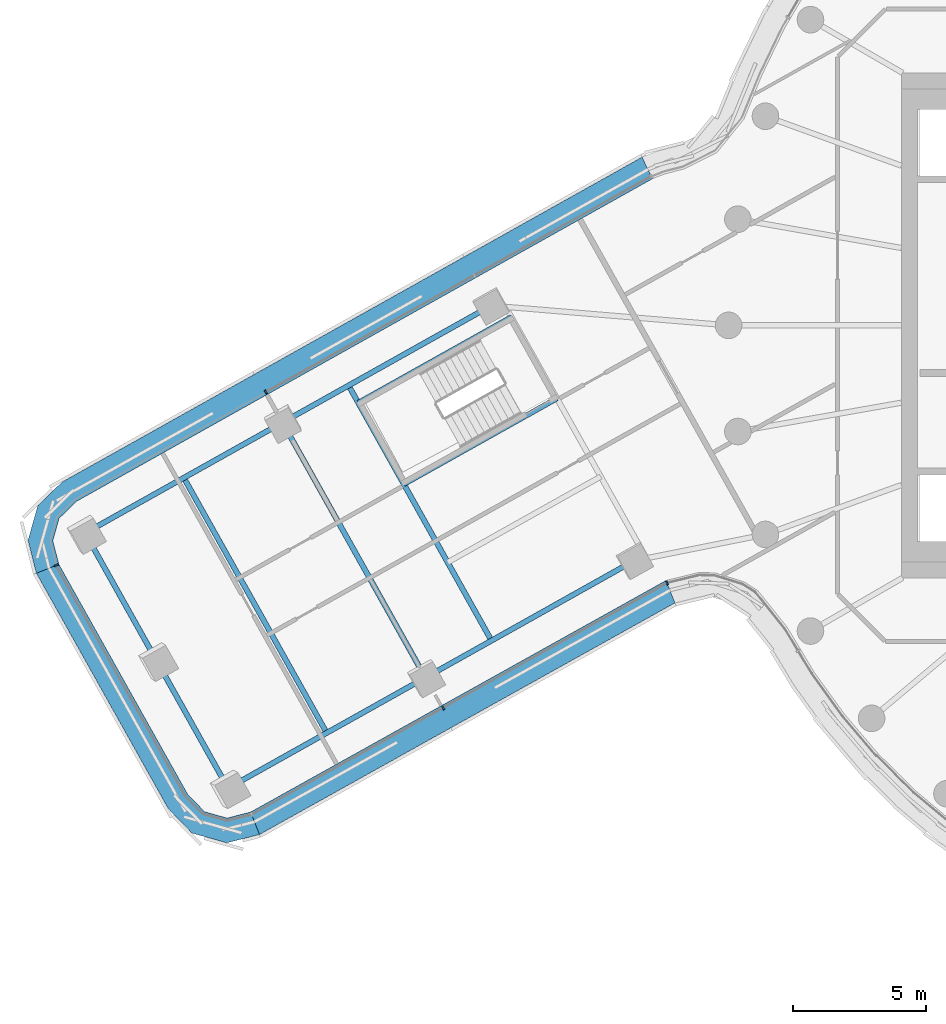
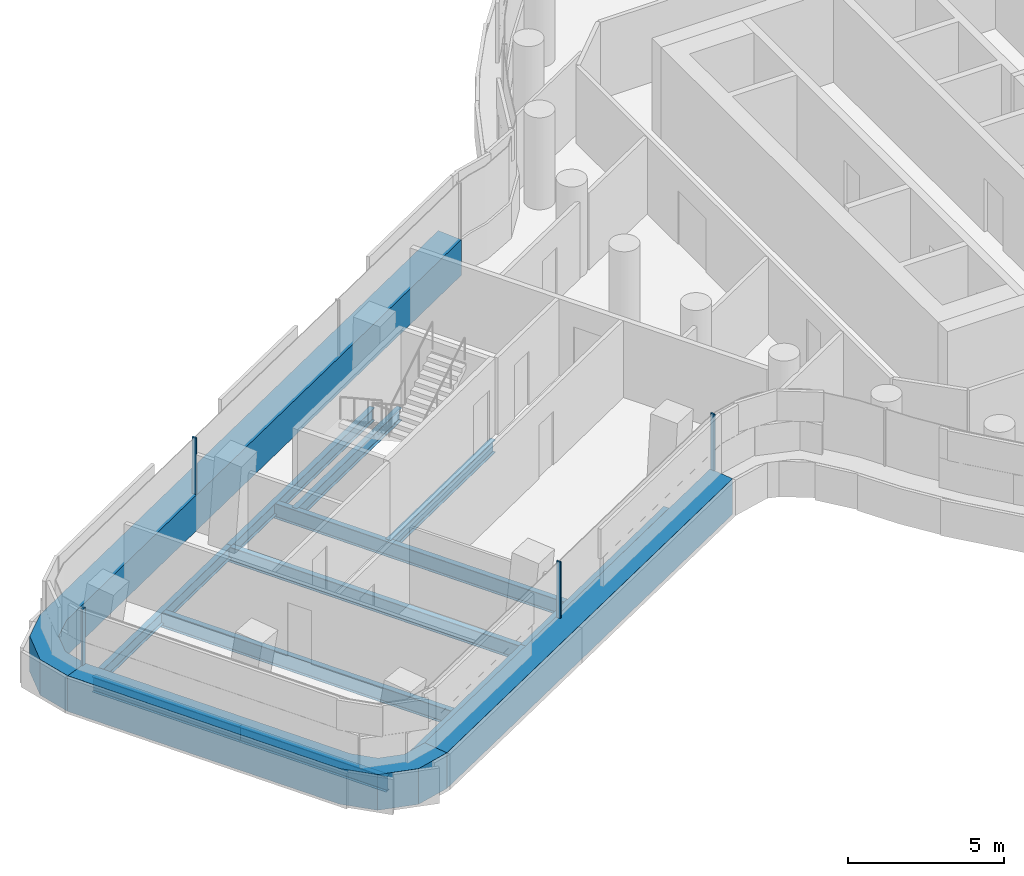
# One storey, part 7 of 34: 11 beams, 7 members, 4 elements without a shape of their own.
"""IFC4 building model written with IfcOpenShell, lengths in metres."""

import ifcopenshell
import ifcopenshell.guid

model = None  # the IFC model being written
_history = None  # IfcOwnerHistory: only IFC2X3 demands one
_inside = {}  # id of a spatial element -> (the spatial element, [elements in it])
_under = {}  # id of a project, library or spatial element -> (it, [spatial elements below it])
_declared = {}  # id of a project -> (the project, [libraries it declares])
_typed = {}  # id of a type object -> (the type object, [elements of that type])
_made_of = {}  # id of a material, layer set ... -> (it, [elements and type objects made of it])


def new_model(schema):
    """Start an empty IFC model of exactly this schema.

    Asked for "IFC4X3", IfcOpenShell would pick the latest addendum, in which some entities
    have other attributes; the version numbers below select the first issue.
    IFC2X3 requires an IfcOwnerHistory on every rooted entity: one is made here for all.
    """
    global model, _history
    if schema == "IFC4X3":
        model = ifcopenshell.file(schema_version=(4, 3, 0, 0))
    else:
        model = ifcopenshell.file(schema=schema)
    _inside.clear()
    _under.clear()
    _declared.clear()
    _typed.clear()
    _made_of.clear()
    _history = None
    if model.schema == "IFC2X3":
        org = make("IfcOrganization", Name="unknown")
        user = make(
            "IfcPersonAndOrganization",
            ThePerson=make("IfcPerson", FamilyName="unknown"),
            TheOrganization=org,
        )
        app = make(
            "IfcApplication",
            ApplicationDeveloper=org,
            Version="unknown",
            ApplicationFullName="unknown",
            ApplicationIdentifier="unknown",
        )
        _history = make(
            "IfcOwnerHistory",
            OwningUser=user,
            OwningApplication=app,
            ChangeAction="ADDED",
            CreationDate=0,
        )
    return model


def make(cls, **values):
    """One entity of the class cls with the attributes given. An attribute that is None is left unset."""
    return model.create_entity(
        cls, **{name: value for name, value in values.items() if value is not None}
    )


def rooted(cls, **values):
    """An entity with a GlobalId (a new one), such as an element, a storey or a relation."""
    return make(cls, GlobalId=ifcopenshell.guid.new(), OwnerHistory=_history, **values)


def si_unit(unit_type, name, prefix=None):
    """IfcSIUnit, for example si_unit("LENGTHUNIT", "METRE", prefix="MILLI")."""
    return make("IfcSIUnit", UnitType=unit_type, Prefix=prefix, Name=name)


def assignment(units):
    """IfcUnitAssignment: the units of a project."""
    return None if units is None else make("IfcUnitAssignment", Units=units)


def point(xyz):
    """IfcCartesianPoint."""
    return None if xyz is None else make("IfcCartesianPoint", Coordinates=xyz)


def direction(xyz):
    """IfcDirection."""
    return None if xyz is None else make("IfcDirection", DirectionRatios=xyz)


def frame(location, z_axis=None, x_axis=None):
    """IfcAxis2Placement3D, a coordinate frame: its origin and axes. An axis left out is left unset."""
    return make(
        "IfcAxis2Placement3D",
        Location=point(location),
        Axis=direction(z_axis),
        RefDirection=direction(x_axis),
    )


def frame_2d(location, x_axis=None):
    """IfcAxis2Placement2D, a coordinate frame in the plane: its origin and x axis."""
    return make(
        "IfcAxis2Placement2D", Location=point(location), RefDirection=direction(x_axis)
    )


def origin():
    """The frame at (0, 0, 0) with its axes left unset."""
    return frame((0.0, 0.0, 0.0))


def origin_2d():
    """The frame at (0, 0) in the plane with its x axis left unset."""
    return frame_2d((0.0, 0.0))


def place(relative_to, where):
    """IfcLocalPlacement: puts the frame where relative to a parent placement (None: the world)."""
    return make(
        "IfcLocalPlacement", PlacementRelTo=relative_to, RelativePlacement=where
    )


def context(
    kind, dimensions, precision=None, world=None, true_north=None, identifier=None
):
    """IfcGeometricRepresentationContext, for example the 3D "Model" context."""
    return make(
        "IfcGeometricRepresentationContext",
        ContextIdentifier=identifier,
        ContextType=kind,
        CoordinateSpaceDimension=dimensions,
        Precision=precision,
        WorldCoordinateSystem=world,
        TrueNorth=true_north,
    )


def subcontext(parent, identifier, kind, view, scale=None):
    """IfcGeometricRepresentationSubContext, for example "Body" below "Model"."""
    return make(
        "IfcGeometricRepresentationSubContext",
        ContextIdentifier=identifier,
        ContextType=kind,
        ParentContext=parent,
        TargetScale=scale,
        TargetView=view,
    )


def project(units=None, contexts=None):
    """IfcProject with its units and contexts."""
    return rooted(
        "IfcProject",
        Name="project",
        RepresentationContexts=contexts,
        UnitsInContext=assignment(units),
    )


def spatial(cls, under=None, at=None, **own):
    """A site, building, storey or space (cls), placed at a placement, below another one or the project."""
    s = rooted(cls, ObjectPlacement=at, **own)
    if under is not None:
        _under.setdefault(under.id(), (under, []))[1].append(s)
    return s


def polyline(points):
    """IfcPolyline through the points."""
    return make("IfcPolyline", Points=[point(p) for p in points])


def profile(cls, at=None, kind="AREA", **sizes):
    """A parametric profile (cls). Its sizes go by their IFC names, for example OverallWidth=200.0."""
    return make(cls, ProfileType=kind, Position=at, **sizes)


def rectangle(**sizes):
    """IfcRectangleProfileDef."""
    return profile("IfcRectangleProfileDef", **sizes)


def i_section(**sizes):
    """IfcIShapeProfileDef."""
    return profile("IfcIShapeProfileDef", **sizes)


def outline(outer, holes=None, kind="AREA"):
    """IfcArbitraryClosedProfileDef: a profile drawn as a closed curve; with holes, ...WithVoids."""
    if holes is None:
        return make("IfcArbitraryClosedProfileDef", ProfileType=kind, OuterCurve=outer)
    return make(
        "IfcArbitraryProfileDefWithVoids",
        ProfileType=kind,
        OuterCurve=outer,
        InnerCurves=holes,
    )


def extrude(swept, where, along, depth):
    """IfcExtrudedAreaSolid: the profile swept, set in the frame where, extruded along a direction by depth."""
    return make(
        "IfcExtrudedAreaSolid",
        SweptArea=swept,
        Position=where,
        ExtrudedDirection=direction(along),
        Depth=depth,
    )


def shape(context_of_items, identifier, shape_type, items):
    """IfcShapeRepresentation: the items that make up one representation, for example the "Body"."""
    return make(
        "IfcShapeRepresentation",
        ContextOfItems=context_of_items,
        RepresentationIdentifier=identifier,
        RepresentationType=shape_type,
        Items=items,
    )


def material(Name=None, Category=None):
    """IfcMaterial."""
    return make("IfcMaterial", Name=Name, Category=Category)


def layer(
    of_material, thickness, ventilated=None, Name=None, Category=None, Priority=None
):
    """IfcMaterialLayer: one layer of a wall or slab, of a material (None: an air gap)."""
    return make(
        "IfcMaterialLayer",
        Material=of_material,
        LayerThickness=thickness,
        IsVentilated=ventilated,
        Name=Name,
        Category=Category,
        Priority=Priority,
    )


def layer_set(layers, Name=None):
    """IfcMaterialLayerSet."""
    return make("IfcMaterialLayerSet", MaterialLayers=layers, LayerSetName=Name)


def material_profile(
    of_material, cross_section, Name=None, Category=None, Priority=None
):
    """IfcMaterialProfile: a cross section and its material."""
    return make(
        "IfcMaterialProfile",
        Name=Name,
        Material=of_material,
        Profile=cross_section,
        Priority=Priority,
        Category=Category,
    )


def profile_set(profiles, Name=None, composite=None):
    """IfcMaterialProfileSet."""
    return make(
        "IfcMaterialProfileSet",
        Name=Name,
        MaterialProfiles=profiles,
        CompositeProfile=composite,
    )


def made_of(thing, what):
    """Note that an element or type object is made of a material, layer set ...; save() writes the relation."""
    if what is not None:
        _made_of.setdefault(what.id(), (what, []))[1].append(thing)
    return thing


def type_object(cls, material=None, **own):
    """A type object (cls), such as IfcWallType, which elements share."""
    return made_of(rooted(cls, **own), material)


def element(
    cls,
    number,
    at=None,
    inside=None,
    cuts=None,
    type_object=None,
    material=None,
    context=None,
    identifier="Body",
    shape_type=None,
    held_by="IfcProductDefinitionShape",
    body=None,
    shapes=None,
    **own,
):
    """One element of the class cls, such as IfcWall. Its Tag is "e" and its number.

    at: its placement. inside: the storey or other place that contains it. cuts: it is an
    opening in that element (IfcRelVoidsElement). A single representation is given by context,
    identifier, shape_type and body (its items); several are given by shapes. held_by: the class
    of the entity that holds the representations. save() writes the other relations.
    """
    e = rooted(cls, Tag="e%d" % number, ObjectPlacement=at, **own)
    if body is not None:
        shapes = [shape(context, identifier, shape_type, body)]
    if shapes is not None:
        e.Representation = make(held_by, Representations=shapes)
    if inside is not None:
        _inside.setdefault(inside.id(), (inside, []))[1].append(e)
    if cuts is not None:
        rooted(
            "IfcRelVoidsElement", RelatingBuildingElement=cuts, RelatedOpeningElement=e
        )
    if type_object is not None:
        _typed.setdefault(type_object.id(), (type_object, []))[1].append(e)
    return made_of(e, material)


def aggregate(whole, parts):
    """IfcRelAggregates: a whole, such as a stair, and the parts it consists of."""
    return rooted("IfcRelAggregates", RelatingObject=whole, RelatedObjects=parts)


def save(model, path):
    """Write the relations noted so far, then the file.

    IfcRelAggregates (storeys below a building ...), IfcRelContainedInSpatialStructure (elements
    in a storey), IfcRelDefinesByType, IfcRelAssociatesMaterial and IfcRelDeclares: one each for
    every whole, place, type object, material and project.
    """
    for whole, parts in _under.values():
        aggregate(whole, parts)
    for where, things in _inside.values():
        rooted(
            "IfcRelContainedInSpatialStructure",
            RelatedElements=things,
            RelatingStructure=where,
        )
    for kind, things in _typed.values():
        rooted("IfcRelDefinesByType", RelatedObjects=things, RelatingType=kind)
    for what, things in _made_of.values():
        rooted("IfcRelAssociatesMaterial", RelatedObjects=things, RelatingMaterial=what)
    for by, libraries in _declared.values():
        rooted("IfcRelDeclares", RelatingContext=by, RelatedDefinitions=libraries)
    model.write(path)


model = new_model("IFC4")

# Units and contexts
model_context = context("Model", 3, precision=1e-05, world=origin(), true_north=direction((0.0, 1.0)))
body_context = subcontext(model_context, "Body", "Model", "MODEL_VIEW")
ifc_project = project(units=[si_unit("LENGTHUNIT", "METRE"), si_unit("AREAUNIT", "SQUARE_METRE"), si_unit("VOLUMEUNIT", "CUBIC_METRE"), si_unit("PLANEANGLEUNIT", "RADIAN"), si_unit("MASSUNIT", "GRAM", prefix="KILO")], contexts=[model_context])

# Site, building, storey
site_placement = place(None, origin())
site = spatial("IfcSite", under=ifc_project, at=site_placement, CompositionType="ELEMENT")
building_placement = place(site_placement, origin())
building = spatial("IfcBuilding", under=site, at=building_placement, Name="Tamarind Cross Interchange Tower", CompositionType="ELEMENT")
storey_placement = place(building_placement, frame((0.0, 0.0, 140.5)))
storey = spatial("IfcBuildingStorey", under=building, at=storey_placement, Name="L34", CompositionType="ELEMENT", Elevation=140.5)

# Beams
ifc_material_1 = material(Name="Steel Q355B", Category="steel")
ifc_material_profile_1 = material_profile(ifc_material_1, i_section(OverallWidth=0.198974609375, OverallDepth=0.49609375, WebThickness=0.009033203125, FlangeThickness=0.013916015625, FilletRadius=0.012939453125, at=origin_2d()), Name="HN 496x199x9x14")
ifc_profile_set_1 = profile_set([ifc_material_profile_1], Name="Steel Q355B")
beam_type_1 = type_object("IfcBeamType", Name="Composite beam HN 496x199x9x14 Q355B", PredefinedType="BEAM", material=ifc_profile_set_1)
beam_1_placement = place(storey_placement, frame((-47.20703125, -7.815185546875, -0.387939453125), z_axis=(0.872456609096, 0.488691584994, 0.0), x_axis=(-0.488691584994, 0.872456609096, 0.0)))
element("IfcBeam", 1, at=beam_1_placement, inside=storey, type_object=beam_type_1, Name="Beam W-edgeem5", PredefinedType="BEAM", context=body_context, shape_type="SweptSolid", body=[
    extrude(i_section(OverallWidth=0.198974609375, OverallDepth=0.49609375, WebThickness=0.009033203125, FlangeThickness=0.013916015625, FilletRadius=0.012939453125, at=origin_2d()), origin(), (0.0, 0.0, 1.0), 8.51123046875),
])
beam_2_placement = place(storey_placement, frame((-39.78125, -3.65576171875, -0.387939453125), z_axis=(0.872456515553, 0.488691751996, 0.0), x_axis=(-0.488691751996, 0.872456515553, 0.0)))
element("IfcBeam", 2, at=beam_2_placement, inside=storey, type_object=beam_type_1, Name="Beam W-edgeem6", PredefinedType="BEAM", context=body_context, shape_type="SweptSolid", body=[
    extrude(i_section(OverallWidth=0.198974609375, OverallDepth=0.49609375, WebThickness=0.009033203125, FlangeThickness=0.013916015625, FilletRadius=0.012939453125, at=origin_2d()), origin(), (0.0, 0.0, 1.0), 9.0),
])
beam_3_placement = place(storey_placement, frame((-41.83154296875, -17.412109375, -0.387939453125), z_axis=(0.872468838825, 0.488669750731, 0.0), x_axis=(-0.488669750731, 0.872468838825, 0.0)))
element("IfcBeam", 3, at=beam_3_placement, inside=storey, type_object=beam_type_1, Name="Beam W-edgeep2", PredefinedType="BEAM", context=body_context, shape_type="SweptSolid", body=[
    extrude(i_section(OverallWidth=0.198974609375, OverallDepth=0.49609375, WebThickness=0.009033203125, FlangeThickness=0.013916015625, FilletRadius=0.012939453125, at=origin_2d()), origin(), (0.0, 0.0, 1.0), 8.51123046875),
])
beam_4_placement = place(storey_placement, frame((-34.40576171875, -13.2529296875, -0.387939453125), z_axis=(0.872456515553, 0.488691751996, 0.0), x_axis=(-0.488691751996, 0.872456515553, 0.0)))
element("IfcBeam", 4, at=beam_4_placement, inside=storey, type_object=beam_type_1, Name="Beam W-edgeep3", PredefinedType="BEAM", context=body_context, shape_type="SweptSolid", body=[
    extrude(i_section(OverallWidth=0.198974609375, OverallDepth=0.49609375, WebThickness=0.009033203125, FlangeThickness=0.013916015625, FilletRadius=0.012939453125, at=origin_2d()), origin(), (0.0, 0.0, 1.0), 9.0),
])
for number, where, z_axis, x_axis, name in (
    (5, (-31.170166015625, 0.307861328125, -0.387939453125), (-0.872452392813, -0.488699112209, 0.0), (0.488699112209, -0.872452392813, 0.0), "Beam W-tr0"),
    (6, (-29.459716796875, -2.74560546875, -0.387939453125), (-0.872452392813, -0.488699112209, 0.0), (0.488699112209, -0.872452392813, 0.0), "Beam W-tr1"),
):
    element("IfcBeam", number, at=place(storey_placement, frame(where, z_axis=z_axis, x_axis=x_axis)), inside=storey, type_object=beam_type_1, Name=name, PredefinedType="BEAM", context=body_context, shape_type="SweptSolid", body=[
        extrude(i_section(OverallWidth=0.198974609375, OverallDepth=0.49609375, WebThickness=0.009033203125, FlangeThickness=0.013916015625, FilletRadius=0.012939453125, at=origin_2d()), origin(), (0.0, 0.0, 1.0), 6.599853515625),
    ])
ifc_material_profile_2 = material_profile(ifc_material_1, i_section(OverallWidth=0.199951171875, OverallDepth=0.60009765625, WebThickness=0.010986328125, FlangeThickness=0.01708984375, FilletRadius=0.012939453125, at=origin_2d()), Name="HN 600x200x11x17")
ifc_profile_set_2 = profile_set([ifc_material_profile_2], Name="Steel Q355B")
beam_type_2 = type_object("IfcBeamType", Name="Composite beam HN 600x200x11x17 Q355B", PredefinedType="BEAM", material=ifc_profile_set_2)
beam_5_placement = place(storey_placement, frame((-47.20703125, -7.815185546875, -0.43994140625), z_axis=(0.488677709151, -0.872464381267, 0.0), x_axis=(0.872464381267, 0.488677709151, 0.0)))
element("IfcBeam", 7, at=beam_5_placement, inside=storey, type_object=beam_type_2, Name="Beam W-tip0", PredefinedType="BEAM", context=body_context, shape_type="SweptSolid", body=[
    extrude(i_section(OverallWidth=0.199951171875, OverallDepth=0.60009765625, WebThickness=0.010986328125, FlangeThickness=0.01708984375, FilletRadius=0.012939453125, at=origin_2d()), origin(), (0.0, 0.0, 1.0), 5.5),
])
beam_6_placement = place(storey_placement, frame((-44.519287109375, -12.61376953125, -0.43994140625), z_axis=(0.488696635161, -0.872453780313, 0.0), x_axis=(0.872453780313, 0.488696635161, 0.0)))
element("IfcBeam", 8, at=beam_6_placement, inside=storey, type_object=beam_type_2, Name="Beam W-tip1", PredefinedType="BEAM", context=body_context, shape_type="SweptSolid", body=[
    extrude(i_section(OverallWidth=0.199951171875, OverallDepth=0.60009765625, WebThickness=0.010986328125, FlangeThickness=0.01708984375, FilletRadius=0.012939453125, at=origin_2d()), origin(), (0.0, 0.0, 1.0), 5.499755859375),
])
beam_7_placement = place(storey_placement, frame((-37.294921875, -2.262939453125, -0.43994140625), z_axis=(0.488694603171, -0.872454918509, 0.0), x_axis=(0.872454918509, 0.488694603171, 0.0)))
element("IfcBeam", 9, at=beam_7_placement, inside=storey, type_object=beam_type_2, Name="Beam W-x364", PredefinedType="BEAM", context=body_context, shape_type="SweptSolid", body=[
    extrude(i_section(OverallWidth=0.199951171875, OverallDepth=0.60009765625, WebThickness=0.010986328125, FlangeThickness=0.01708984375, FilletRadius=0.012939453125, at=origin_2d()), origin(), (0.0, 0.0, 1.0), 11.000244140625),
])
for number, where, z_axis, x_axis, name in (
    (10, (-39.78125, -3.65576171875, -0.43994140625), (0.488677709151, -0.872464381267, 0.0), (0.872464381267, 0.488677709151, 0.0), "Beam W-x393"),
    (11, (-43.494140625, -5.7353515625, -0.43994140625), (0.488677709151, -0.872464381267, 0.0), (0.872464381267, 0.488677709151, 0.0), "Beam W-x436"),
):
    element("IfcBeam", number, at=place(storey_placement, frame(where, z_axis=z_axis, x_axis=x_axis)), inside=storey, type_object=beam_type_2, Name=name, PredefinedType="BEAM", context=body_context, shape_type="SweptSolid", body=[
        extrude(i_section(OverallWidth=0.199951171875, OverallDepth=0.60009765625, WebThickness=0.010986328125, FlangeThickness=0.01708984375, FilletRadius=0.012939453125, at=origin_2d()), origin(), (0.0, 0.0, 1.0), 11.0),
    ])

# Curtain wall, member
ifc_material_2 = material(Name="Aluminium 6063-T6", Category="aluminium")
ifc_layer = layer(ifc_material_2, 0.159912109375)
ifc_layer_set = layer_set([ifc_layer], Name="Aluminium 6063-T6")
curtain_wall_type = type_object("IfcCurtainWallType", Name="Office curtain wall, 9.0 m bays", PredefinedType="NOTDEFINED", material=ifc_layer_set)
curtain_wall_1_placement = place(storey_placement, origin())
curtain_wall_1 = element("IfcCurtainWall", 12, at=curtain_wall_1_placement, inside=storey, type_object=curtain_wall_type, Name="CWS-L34-00", PredefinedType="NOTDEFINED")
ifc_material_3 = material(Name="Aluminium and insulated spandrel panel", Category="aluminium")
member_type_1 = type_object("IfcMemberType", Name="Floor-edge blade transom", PredefinedType="USERDEFINED", material=ifc_material_3)
member_1_placement = place(storey_placement, origin())
member_1 = element("IfcMember", 13, at=member_1_placement, type_object=member_type_1, Name="CWT-L34-00", ObjectType="TRANSOM", PredefinedType="USERDEFINED", context=body_context, shape_type="SweptSolid", body=[
    extrude(outline(polyline([(-48.197509765625, -8.98828125), (-43.349365234375, -17.64404296875), (-42.71044921875, -18.299560546875), (-41.868896484375, -18.536865234375), (-40.981201171875, -18.3115234375), (-40.645751953125, -19.15478515625), (-41.880859375, -19.46875), (-43.186767578125, -19.100341796875), (-44.07666015625, -18.187255859375), (-49.040771484375, -9.32470703125), (-48.197509765625, -8.98828125)])), origin(), (0.0, 0.0, 1.0), 1.39990234375),
])

curtain_wall_2_placement = place(storey_placement, origin())
curtain_wall_2 = element("IfcCurtainWall", 14, at=curtain_wall_2_placement, inside=storey, type_object=curtain_wall_type, Name="CWS-L34-01", PredefinedType="NOTDEFINED")
member_2_placement = place(storey_placement, origin())
member_2 = element("IfcMember", 15, at=member_2_placement, type_object=member_type_1, Name="CWT-L34-01", ObjectType="TRANSOM", PredefinedType="USERDEFINED", context=body_context, shape_type="SweptSolid", body=[
    extrude(outline(polyline([(-40.981201171875, -18.3115234375), (-25.3505859375, -9.597900390625), (-25.0185546875, -10.443359375), (-40.645751953125, -19.15478515625), (-40.981201171875, -18.3115234375)])), origin(), (0.0, 0.0, 1.0), 1.39990234375),
])

curtain_wall_3_placement = place(storey_placement, origin())
curtain_wall_3 = element("IfcCurtainWall", 16, at=curtain_wall_3_placement, inside=storey, type_object=curtain_wall_type, Name="CWS-L34-15", PredefinedType="NOTDEFINED")
member_3_placement = place(storey_placement, origin())
member_3 = element("IfcMember", 17, at=member_3_placement, type_object=member_type_1, Name="CWT-L34-15", ObjectType="TRANSOM", PredefinedType="USERDEFINED", context=body_context, shape_type="SweptSolid", body=[
    extrude(outline(polyline([(-25.86572265625, 5.51416015625), (-47.530029296875, -6.62060546875), (-48.185546875, -7.259521484375), (-48.423095703125, -8.10107421875), (-48.197509765625, -8.98828125), (-49.040771484375, -9.32470703125), (-49.354736328125, -8.089111328125), (-48.986572265625, -6.783203125), (-48.0732421875, -5.893310546875), (-26.25390625, 6.328125), (-25.86572265625, 5.51416015625)])), origin(), (0.0, 0.0, 1.0), 1.39990234375),
])

# Member
ifc_material_profile_3 = material_profile(ifc_material_2, rectangle(XDim=0.06005859375, YDim=0.159912109375, at=origin_2d()), Name="Mullion CW1")
ifc_profile_set_3 = profile_set([ifc_material_profile_3], Name="Aluminium 6063-T6")
member_type_2 = type_object("IfcMemberType", Name="Mullion CW1", PredefinedType="MULLION", material=ifc_profile_set_3)
member_4_placement = place(storey_placement, frame((-48.291259765625, -9.025634765625, 1.39990234375), z_axis=(0.0, 0.0, 1.0), x_axis=(0.37062876387, -0.928781093365, 0.0)))
member_4 = element("IfcMember", 18, at=member_4_placement, type_object=member_type_2, Name="CWM-L34-00-00", PredefinedType="MULLION", context=body_context, shape_type="SweptSolid", body=[
    extrude(rectangle(XDim=0.06005859375, YDim=0.159912109375, at=origin_2d()), origin(), (0.0, 0.0, 1.0), 2.210205078125),
])

aggregate(curtain_wall_1, [member_4, member_1])

member_5_placement = place(storey_placement, frame((-33.73876953125, -14.388427734375, 1.39990234375), z_axis=(0.0, 0.0, 1.0), x_axis=(0.873449626547, 0.486914520101, 0.0)))
member_5 = element("IfcMember", 19, at=member_5_placement, type_object=member_type_2, Name="CWM-L34-01-01", PredefinedType="MULLION", context=body_context, shape_type="SweptSolid", body=[
    extrude(rectangle(XDim=0.06005859375, YDim=0.159912109375, at=origin_2d()), origin(), (0.0, 0.0, 1.0), 2.210205078125),
])

aggregate(curtain_wall_2, [member_5, member_2])

# Curtain wall, member
curtain_wall_4_placement = place(storey_placement, origin())
curtain_wall_4 = element("IfcCurtainWall", 20, at=curtain_wall_4_placement, inside=storey, type_object=curtain_wall_type, Name="CWS-L34-02", PredefinedType="NOTDEFINED")
member_6_placement = place(storey_placement, frame((-25.313720703125, -9.69189453125, 1.39990234375), z_axis=(0.0, 0.0, 1.0), x_axis=(0.930868609327, 0.365354118861, 0.0)))
member_6 = element("IfcMember", 21, at=member_6_placement, type_object=member_type_2, Name="CWM-L34-02-00", PredefinedType="MULLION", context=body_context, shape_type="SweptSolid", body=[
    extrude(rectangle(XDim=0.06005859375, YDim=0.159912109375, at=origin_2d()), origin(), (0.0, 0.0, 1.0), 2.210205078125),
])
aggregate(curtain_wall_4, [member_6])

# Member
member_7_placement = place(storey_placement, frame((-40.405029296875, -2.51513671875, 1.39990234375), z_axis=(0.0, 0.0, 1.0), x_axis=(-0.872458481082, -0.488688242939, 0.0)))
member_7 = element("IfcMember", 22, at=member_7_placement, type_object=member_type_2, Name="CWM-L34-15-02", PredefinedType="MULLION", context=body_context, shape_type="SweptSolid", body=[
    extrude(rectangle(XDim=0.06005859375, YDim=0.159912109375, at=origin_2d()), origin(), (0.0, 0.0, 1.0), 2.210205078125),
])

aggregate(curtain_wall_3, [member_7, member_3])

save(model, "model.ifc")
